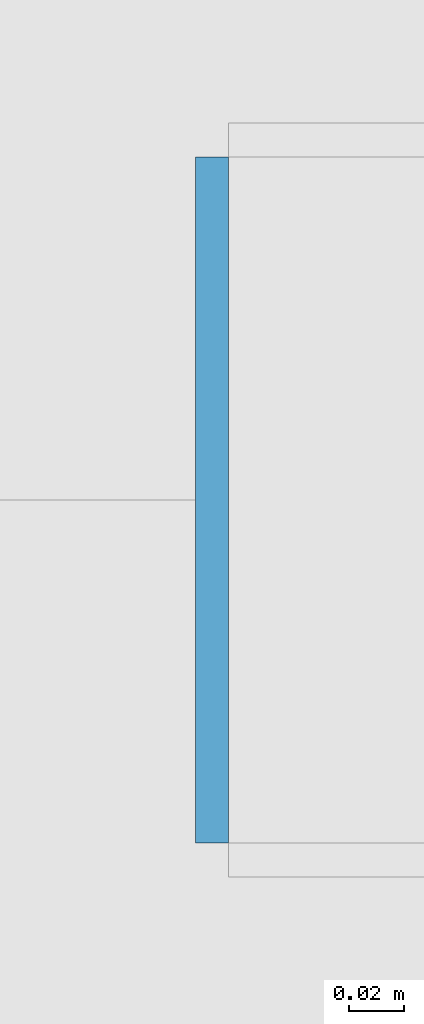
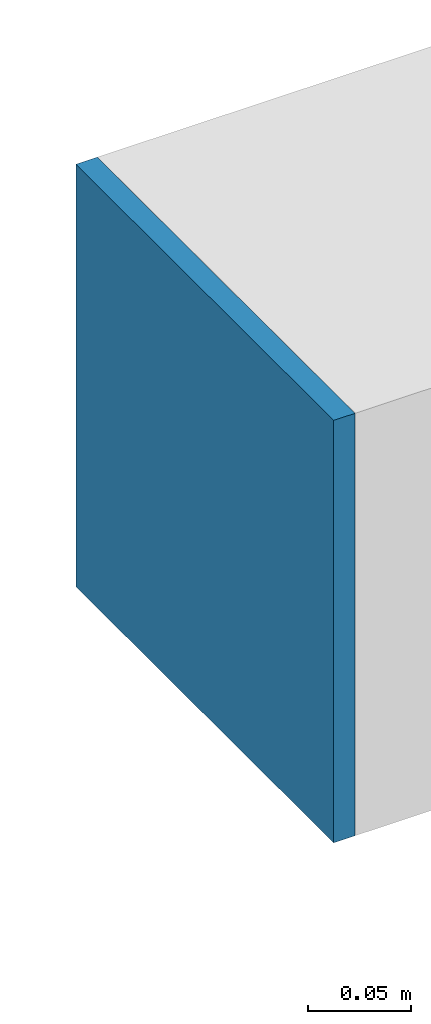
# One storey, part 33 of 44: 1 plate.
"""IFC4 building model written with IfcOpenShell, lengths in metres."""

from ifc_helpers import new_model, si_unit, direction, frame, origin, origin_2d, place, context, subcontext, project, spatial, rectangle, extrude, source, transform, mapped, material, layer, layer_set, type_object, element, save


model = new_model("IFC4")

# Units and contexts
model_context = context("Model", 3, precision=1e-05, world=origin(), true_north=direction((0.0, 1.0)))
body_context = subcontext(model_context, "Body", "Model", "MODEL_VIEW")
ifc_project = project(units=[si_unit("LENGTHUNIT", "METRE"), si_unit("AREAUNIT", "SQUARE_METRE"), si_unit("VOLUMEUNIT", "CUBIC_METRE"), si_unit("PLANEANGLEUNIT", "RADIAN"), si_unit("MASSUNIT", "GRAM", prefix="KILO")], contexts=[model_context])

# Site, building, storey
site_placement = place(None, origin())
site = spatial("IfcSite", under=ifc_project, at=site_placement, CompositionType="ELEMENT")
building_placement = place(site_placement, origin())
building = spatial("IfcBuilding", under=site, at=building_placement, Name="Taldren Reach Tower", CompositionType="ELEMENT")
storey_placement = place(building_placement, frame((0.0, 0.0, 42.0)))
storey = spatial("IfcBuildingStorey", under=building, at=storey_placement, Name="L12", CompositionType="ELEMENT", Elevation=42.0)

# Plate
ifc_material = material(Name="Steel Gr 350 (C350L0)", Category="steel")
ifc_layer = layer(ifc_material, 0.011962890625)
ifc_layer_set = layer_set([ifc_layer], Name="Steel Gr 350 (C350L0)")
plate_type = type_object("IfcPlateType", Name="PL-CAP-250", PredefinedType="SHEET", material=ifc_layer_set)
shared_shape = source(origin(), body_context, "Body", "SweptSolid", [
    extrude(rectangle(XDim=0.011962890625, YDim=0.25, at=origin_2d()), origin(), (0.0, 0.0, 1.0), 0.25),
])
plate_placement = place(storey_placement, frame((4.093994140625, 20.0, 0.094970703125), z_axis=(0.0, 0.0, 1.0), x_axis=(1.0, 0.0, 0.0)))
element("IfcPlate", 1, at=plate_placement, inside=storey, type_object=plate_type, Name="Tie strut end cap plate B1-W2 L12", PredefinedType="SHEET", context=body_context, shape_type="MappedRepresentation", body=[
    mapped(shared_shape, transform((0.0, 0.0, 0.0), scale=1.0)),
])

save(model, "model.ifc")
